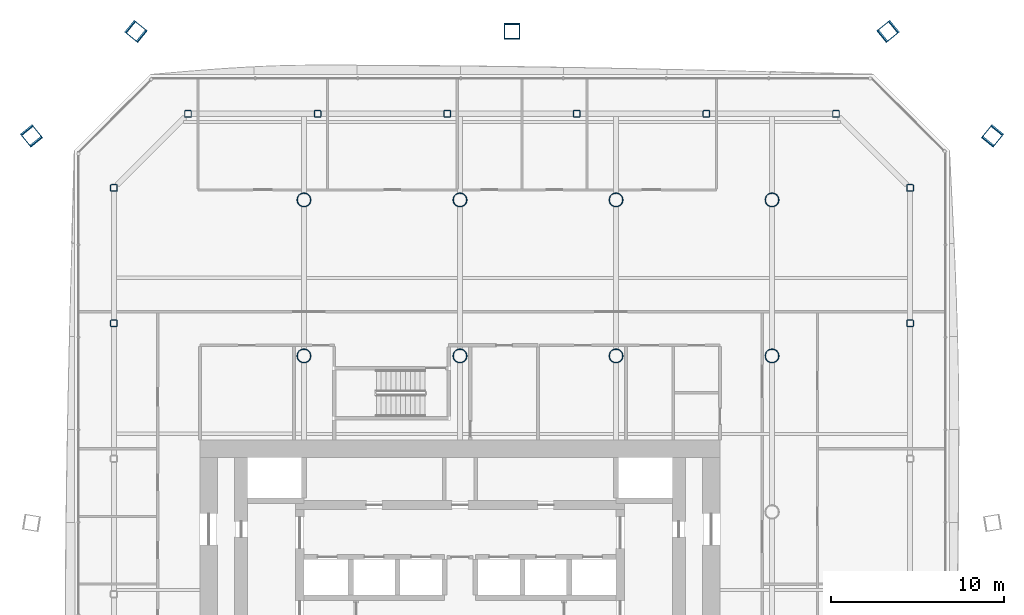
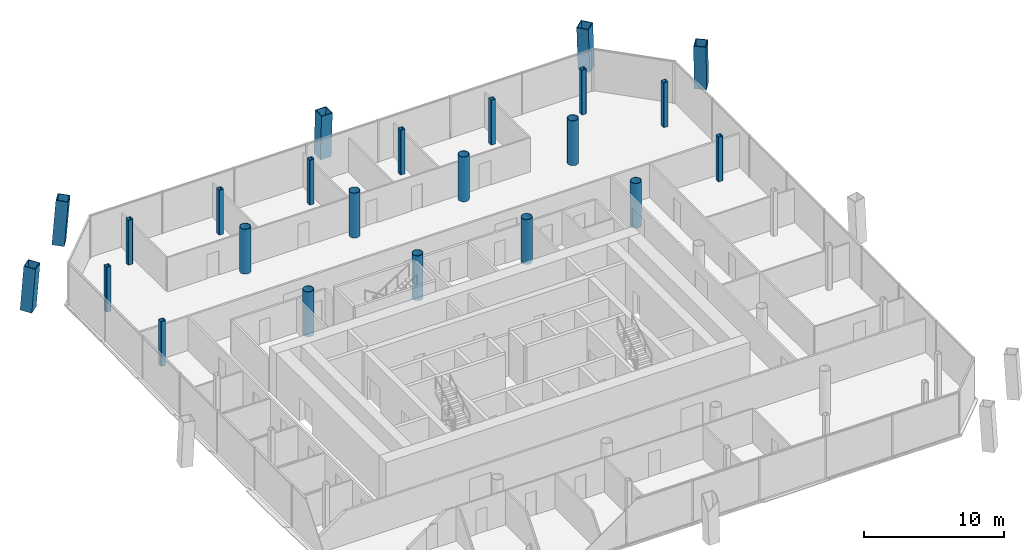
# One storey, part 2 of 19: 23 columns.
"""IFC4 building model written with IfcOpenShell, lengths in metres."""

import ifcopenshell
import ifcopenshell.guid

model = None  # the IFC model being written
_history = None  # IfcOwnerHistory: only IFC2X3 demands one
_inside = {}  # id of a spatial element -> (the spatial element, [elements in it])
_under = {}  # id of a project, library or spatial element -> (it, [spatial elements below it])
_declared = {}  # id of a project -> (the project, [libraries it declares])
_typed = {}  # id of a type object -> (the type object, [elements of that type])
_made_of = {}  # id of a material, layer set ... -> (it, [elements and type objects made of it])


def new_model(schema):
    """Start an empty IFC model of exactly this schema.

    Asked for "IFC4X3", IfcOpenShell would pick the latest addendum, in which some entities
    have other attributes; the version numbers below select the first issue.
    IFC2X3 requires an IfcOwnerHistory on every rooted entity: one is made here for all.
    """
    global model, _history
    if schema == "IFC4X3":
        model = ifcopenshell.file(schema_version=(4, 3, 0, 0))
    else:
        model = ifcopenshell.file(schema=schema)
    _inside.clear()
    _under.clear()
    _declared.clear()
    _typed.clear()
    _made_of.clear()
    _history = None
    if model.schema == "IFC2X3":
        org = make("IfcOrganization", Name="unknown")
        user = make(
            "IfcPersonAndOrganization",
            ThePerson=make("IfcPerson", FamilyName="unknown"),
            TheOrganization=org,
        )
        app = make(
            "IfcApplication",
            ApplicationDeveloper=org,
            Version="unknown",
            ApplicationFullName="unknown",
            ApplicationIdentifier="unknown",
        )
        _history = make(
            "IfcOwnerHistory",
            OwningUser=user,
            OwningApplication=app,
            ChangeAction="ADDED",
            CreationDate=0,
        )
    return model


def make(cls, **values):
    """One entity of the class cls with the attributes given. An attribute that is None is left unset."""
    return model.create_entity(
        cls, **{name: value for name, value in values.items() if value is not None}
    )


def rooted(cls, **values):
    """An entity with a GlobalId (a new one), such as an element, a storey or a relation."""
    return make(cls, GlobalId=ifcopenshell.guid.new(), OwnerHistory=_history, **values)


def si_unit(unit_type, name, prefix=None):
    """IfcSIUnit, for example si_unit("LENGTHUNIT", "METRE", prefix="MILLI")."""
    return make("IfcSIUnit", UnitType=unit_type, Prefix=prefix, Name=name)


def assignment(units):
    """IfcUnitAssignment: the units of a project."""
    return None if units is None else make("IfcUnitAssignment", Units=units)


def point(xyz):
    """IfcCartesianPoint."""
    return None if xyz is None else make("IfcCartesianPoint", Coordinates=xyz)


def direction(xyz):
    """IfcDirection."""
    return None if xyz is None else make("IfcDirection", DirectionRatios=xyz)


def frame(location, z_axis=None, x_axis=None):
    """IfcAxis2Placement3D, a coordinate frame: its origin and axes. An axis left out is left unset."""
    return make(
        "IfcAxis2Placement3D",
        Location=point(location),
        Axis=direction(z_axis),
        RefDirection=direction(x_axis),
    )


def frame_2d(location, x_axis=None):
    """IfcAxis2Placement2D, a coordinate frame in the plane: its origin and x axis."""
    return make(
        "IfcAxis2Placement2D", Location=point(location), RefDirection=direction(x_axis)
    )


def origin():
    """The frame at (0, 0, 0) with its axes left unset."""
    return frame((0.0, 0.0, 0.0))


def origin_2d():
    """The frame at (0, 0) in the plane with its x axis left unset."""
    return frame_2d((0.0, 0.0))


def place(relative_to, where):
    """IfcLocalPlacement: puts the frame where relative to a parent placement (None: the world)."""
    return make(
        "IfcLocalPlacement", PlacementRelTo=relative_to, RelativePlacement=where
    )


def context(
    kind, dimensions, precision=None, world=None, true_north=None, identifier=None
):
    """IfcGeometricRepresentationContext, for example the 3D "Model" context."""
    return make(
        "IfcGeometricRepresentationContext",
        ContextIdentifier=identifier,
        ContextType=kind,
        CoordinateSpaceDimension=dimensions,
        Precision=precision,
        WorldCoordinateSystem=world,
        TrueNorth=true_north,
    )


def subcontext(parent, identifier, kind, view, scale=None):
    """IfcGeometricRepresentationSubContext, for example "Body" below "Model"."""
    return make(
        "IfcGeometricRepresentationSubContext",
        ContextIdentifier=identifier,
        ContextType=kind,
        ParentContext=parent,
        TargetScale=scale,
        TargetView=view,
    )


def project(units=None, contexts=None):
    """IfcProject with its units and contexts."""
    return rooted(
        "IfcProject",
        Name="project",
        RepresentationContexts=contexts,
        UnitsInContext=assignment(units),
    )


def spatial(cls, under=None, at=None, **own):
    """A site, building, storey or space (cls), placed at a placement, below another one or the project."""
    s = rooted(cls, ObjectPlacement=at, **own)
    if under is not None:
        _under.setdefault(under.id(), (under, []))[1].append(s)
    return s


def profile(cls, at=None, kind="AREA", **sizes):
    """A parametric profile (cls). Its sizes go by their IFC names, for example OverallWidth=200.0."""
    return make(cls, ProfileType=kind, Position=at, **sizes)


def hollow_rectangle(**sizes):
    """IfcRectangleHollowProfileDef."""
    return profile("IfcRectangleHollowProfileDef", **sizes)


def hollow_circle(**sizes):
    """IfcCircleHollowProfileDef."""
    return profile("IfcCircleHollowProfileDef", **sizes)


def extrude(swept, where, along, depth):
    """IfcExtrudedAreaSolid: the profile swept, set in the frame where, extruded along a direction by depth."""
    return make(
        "IfcExtrudedAreaSolid",
        SweptArea=swept,
        Position=where,
        ExtrudedDirection=direction(along),
        Depth=depth,
    )


def shape(context_of_items, identifier, shape_type, items):
    """IfcShapeRepresentation: the items that make up one representation, for example the "Body"."""
    return make(
        "IfcShapeRepresentation",
        ContextOfItems=context_of_items,
        RepresentationIdentifier=identifier,
        RepresentationType=shape_type,
        Items=items,
    )


def material(Name=None, Category=None):
    """IfcMaterial."""
    return make("IfcMaterial", Name=Name, Category=Category)


def material_profile(
    of_material, cross_section, Name=None, Category=None, Priority=None
):
    """IfcMaterialProfile: a cross section and its material."""
    return make(
        "IfcMaterialProfile",
        Name=Name,
        Material=of_material,
        Profile=cross_section,
        Priority=Priority,
        Category=Category,
    )


def profile_set(profiles, Name=None, composite=None):
    """IfcMaterialProfileSet."""
    return make(
        "IfcMaterialProfileSet",
        Name=Name,
        MaterialProfiles=profiles,
        CompositeProfile=composite,
    )


def made_of(thing, what):
    """Note that an element or type object is made of a material, layer set ...; save() writes the relation."""
    if what is not None:
        _made_of.setdefault(what.id(), (what, []))[1].append(thing)
    return thing


def type_object(cls, material=None, **own):
    """A type object (cls), such as IfcWallType, which elements share."""
    return made_of(rooted(cls, **own), material)


def element(
    cls,
    number,
    at=None,
    inside=None,
    cuts=None,
    type_object=None,
    material=None,
    context=None,
    identifier="Body",
    shape_type=None,
    held_by="IfcProductDefinitionShape",
    body=None,
    shapes=None,
    **own,
):
    """One element of the class cls, such as IfcWall. Its Tag is "e" and its number.

    at: its placement. inside: the storey or other place that contains it. cuts: it is an
    opening in that element (IfcRelVoidsElement). A single representation is given by context,
    identifier, shape_type and body (its items); several are given by shapes. held_by: the class
    of the entity that holds the representations. save() writes the other relations.
    """
    e = rooted(cls, Tag="e%d" % number, ObjectPlacement=at, **own)
    if body is not None:
        shapes = [shape(context, identifier, shape_type, body)]
    if shapes is not None:
        e.Representation = make(held_by, Representations=shapes)
    if inside is not None:
        _inside.setdefault(inside.id(), (inside, []))[1].append(e)
    if cuts is not None:
        rooted(
            "IfcRelVoidsElement", RelatingBuildingElement=cuts, RelatedOpeningElement=e
        )
    if type_object is not None:
        _typed.setdefault(type_object.id(), (type_object, []))[1].append(e)
    return made_of(e, material)


def aggregate(whole, parts):
    """IfcRelAggregates: a whole, such as a stair, and the parts it consists of."""
    return rooted("IfcRelAggregates", RelatingObject=whole, RelatedObjects=parts)


def save(model, path):
    """Write the relations noted so far, then the file.

    IfcRelAggregates (storeys below a building ...), IfcRelContainedInSpatialStructure (elements
    in a storey), IfcRelDefinesByType, IfcRelAssociatesMaterial and IfcRelDeclares: one each for
    every whole, place, type object, material and project.
    """
    for whole, parts in _under.values():
        aggregate(whole, parts)
    for where, things in _inside.values():
        rooted(
            "IfcRelContainedInSpatialStructure",
            RelatedElements=things,
            RelatingStructure=where,
        )
    for kind, things in _typed.values():
        rooted("IfcRelDefinesByType", RelatedObjects=things, RelatingType=kind)
    for what, things in _made_of.values():
        rooted("IfcRelAssociatesMaterial", RelatedObjects=things, RelatingMaterial=what)
    for by, libraries in _declared.values():
        rooted("IfcRelDeclares", RelatingContext=by, RelatedDefinitions=libraries)
    model.write(path)


model = new_model("IFC4")

# Units and contexts
model_context = context("Model", 3, precision=1e-05, world=origin(), true_north=direction((0.0, 1.0)))
body_context = subcontext(model_context, "Body", "Model", "MODEL_VIEW")
ifc_project = project(units=[si_unit("LENGTHUNIT", "METRE"), si_unit("AREAUNIT", "SQUARE_METRE"), si_unit("VOLUMEUNIT", "CUBIC_METRE"), si_unit("PLANEANGLEUNIT", "RADIAN"), si_unit("MASSUNIT", "GRAM", prefix="KILO")], contexts=[model_context])

# Site, building, storey
site_placement = place(None, origin())
site = spatial("IfcSite", under=ifc_project, at=site_placement, CompositionType="ELEMENT")
building_placement = place(site_placement, origin())
building = spatial("IfcBuilding", under=site, at=building_placement, Name="Tskaro Facet Tower", CompositionType="ELEMENT")
storey_placement = place(building_placement, frame((0.0, 0.0, 81.60009765625)))
storey = spatial("IfcBuildingStorey", under=building, at=storey_placement, Name="L19", CompositionType="ELEMENT", Elevation=81.60009765625)

# Columns
ifc_material_1 = material(Name="Steel S460M", Category="steel")
ifc_material_profile_1 = material_profile(ifc_material_1, hollow_rectangle(XDim=0.89990234375, YDim=0.89990234375, WallThickness=0.054931640625, at=origin_2d()), Name="BOX 900x900x55")
ifc_profile_set_1 = profile_set([ifc_material_profile_1], Name="Steel S460M")
column_type_1 = type_object("IfcColumnType", Name="BOX 900x900x55 mega column", PredefinedType="COLUMN", material=ifc_profile_set_1)
for number, where, z_axis, x_axis, name in (
    (1, (30.74609375, 21.72607421875, 0.0), (-0.046821200064, -0.057808575012, 0.997229133088), (0.777088504756, -0.629391337545, 0.0), "BOX 900x900x55 MC06/2"),
    (2, (24.72607421875, 27.74609375, 0.0), (-0.057808575012, -0.046821200064, 0.997229133088), (0.629391337545, -0.777088504756, 0.0), "BOX 900x900x55 MC07/2"),
):
    element("IfcColumn", number, at=place(storey_placement, frame(where, z_axis=z_axis, x_axis=x_axis)), inside=storey, type_object=column_type_1, Name=name, PredefinedType="COLUMN", context=body_context, shape_type="SweptSolid", body=[
        extrude(hollow_rectangle(XDim=0.89990234375, YDim=0.89990234375, WallThickness=0.054931640625, at=origin_2d()), origin(), (0.0, 0.0, 1.0), 3.91064453125),
    ])
column_placement = place(storey_placement, frame((3.0, 27.74609375, 0.0), z_axis=(0.0, -0.046899630973, 0.998899606875), x_axis=(1.0, 0.0, 0.0)))
element("IfcColumn", 3, at=column_placement, inside=storey, type_object=column_type_1, Name="BOX 900x900x55 MC08/2", PredefinedType="COLUMN", context=body_context, shape_type="SweptSolid", body=[
    extrude(hollow_rectangle(XDim=0.89990234375, YDim=0.89990234375, WallThickness=0.054931640625, at=origin_2d()), origin(), (0.0, 0.0, 1.0), 3.904296875),
])
for number, where, z_axis, x_axis, name in (
    (4, (-18.72607421875, 27.74609375, 0.0), (0.057808575012, -0.046821200064, 0.997229133088), (0.629391337545, 0.777088504756, 0.0), "BOX 900x900x55 MC09/2"),
    (5, (-24.74609375, 21.72607421875, 0.0), (0.046821200064, -0.057808575012, 0.997229133088), (0.777088504756, 0.629391337545, 0.0), "BOX 900x900x55 MC10/2"),
):
    element("IfcColumn", number, at=place(storey_placement, frame(where, z_axis=z_axis, x_axis=x_axis)), inside=storey, type_object=column_type_1, Name=name, PredefinedType="COLUMN", context=body_context, shape_type="SweptSolid", body=[
        extrude(hollow_rectangle(XDim=0.89990234375, YDim=0.89990234375, WallThickness=0.054931640625, at=origin_2d()), origin(), (0.0, 0.0, 1.0), 3.91064453125),
    ])
ifc_material_2 = material(Name="Steel S355J2H", Category="steel")
ifc_material_profile_2 = material_profile(ifc_material_2, hollow_circle(Radius=0.406494140625, WallThickness=0.035888671875, at=origin_2d()), Name="CHS 812.8x36")
ifc_profile_set_2 = profile_set([ifc_material_profile_2], Name="Steel S355J2H")
column_type_2 = type_object("IfcColumnType", Name="CHS 812.8x36 interior column", PredefinedType="COLUMN", material=ifc_profile_set_2)
for number, where, z_axis, x_axis, name in (
    (6, (-9.0, 9.0, 0.0), (0.0, 0.0, 1.0), (1.0, 0.0, 0.0), "CHS 812.8x36 C3E/2"),
    (7, (-9.0, 18.0, 0.0), (0.0, 0.0, 1.0), (1.0, 0.0, 0.0), "CHS 812.8x36 C3F/2"),
    (8, (0.0, 9.0, 0.0), (0.0, 0.0, 1.0), (1.0, 0.0, 0.0), "CHS 812.8x36 C4E/2"),
    (9, (0.0, 18.0, 0.0), (0.0, 0.0, 1.0), (1.0, 0.0, 0.0), "CHS 812.8x36 C4F/2"),
    (10, (9.0, 9.0, 0.0), (0.0, 0.0, 1.0), (1.0, 0.0, 0.0), "CHS 812.8x36 C5E/2"),
    (11, (9.0, 18.0, 0.0), (0.0, 0.0, 1.0), (1.0, 0.0, 0.0), "CHS 812.8x36 C5F/2"),
    (12, (18.0, 9.0, 0.0), (0.0, 0.0, 1.0), (1.0, 0.0, 0.0), "CHS 812.8x36 C6E/2"),
    (13, (18.0, 18.0, 0.0), (0.0, 0.0, 1.0), (1.0, 0.0, 0.0), "CHS 812.8x36 C6F/2"),
):
    element("IfcColumn", number, at=place(storey_placement, frame(where, z_axis=z_axis, x_axis=x_axis)), inside=storey, type_object=column_type_2, Name=name, PredefinedType="COLUMN", context=body_context, shape_type="SweptSolid", body=[
        extrude(hollow_circle(Radius=0.406494140625, WallThickness=0.035888671875, at=origin_2d()), origin(), (0.0, 0.0, 1.0), 3.89990234375),
    ])
ifc_material_profile_3 = material_profile(ifc_material_2, hollow_rectangle(XDim=0.39990234375, YDim=0.39990234375, WallThickness=0.02490234375, InnerFilletRadius=0.03759765625, OuterFilletRadius=0.0625, at=origin_2d()), Name="SHS 400x400x25")
ifc_profile_set_3 = profile_set([ifc_material_profile_3], Name="Steel S355J2H")
column_type_3 = type_object("IfcColumnType", Name="SHS 400x400x25 ring column", PredefinedType="COLUMN", material=ifc_profile_set_3)
for number, where, z_axis, x_axis, name in (
    (14, (25.965087890625, 10.87890625, 0.0), (0.0, 0.0, 1.0), (1.0, 0.0, 0.0), "SHS 400x400x25 RE-5/2"),
    (15, (25.965087890625, 18.68994140625, 0.0), (0.0, 0.0, 1.0), (1.0, 0.0, 0.0), "SHS 400x400x25 RNE-1/2"),
    (16, (21.68994140625, 22.965087890625, 0.0), (0.0, 0.0, 1.0), (1.0, 0.0, 0.0), "SHS 400x400x25 RN-1/2"),
    (17, (14.214111328125, 22.965087890625, 0.0), (0.0, 0.0, 1.0), (1.0, 0.0, 0.0), "SHS 400x400x25 RN-2/2"),
    (18, (6.738037109375, 22.965087890625, 0.0), (0.0, 0.0, 1.0), (1.0, 0.0, 0.0), "SHS 400x400x25 RN-3/2"),
    (19, (-0.738037109375, 22.965087890625, 0.0), (0.0, 0.0, 1.0), (1.0, 0.0, 0.0), "SHS 400x400x25 RN-4/2"),
    (20, (-8.214111328125, 22.965087890625, 0.0), (0.0, 0.0, 1.0), (1.0, 0.0, 0.0), "SHS 400x400x25 RN-5/2"),
    (21, (-15.68994140625, 22.965087890625, 0.0), (0.0, 0.0, 1.0), (1.0, 0.0, 0.0), "SHS 400x400x25 RNW-1/2"),
    (22, (-19.965087890625, 18.68994140625, 0.0), (0.0, 0.0, 1.0), (1.0, 0.0, 0.0), "SHS 400x400x25 RW-1/2"),
    (23, (-19.965087890625, 10.87890625, 0.0), (0.0, 0.0, 1.0), (1.0, 0.0, 0.0), "SHS 400x400x25 RW-2/2"),
):
    element("IfcColumn", number, at=place(storey_placement, frame(where, z_axis=z_axis, x_axis=x_axis)), inside=storey, type_object=column_type_3, Name=name, PredefinedType="COLUMN", context=body_context, shape_type="SweptSolid", body=[
        extrude(hollow_rectangle(XDim=0.39990234375, YDim=0.39990234375, WallThickness=0.02490234375, InnerFilletRadius=0.03759765625, OuterFilletRadius=0.0625, at=origin_2d()), origin(), (0.0, 0.0, 1.0), 3.89990234375),
    ])

save(model, "model.ifc")
